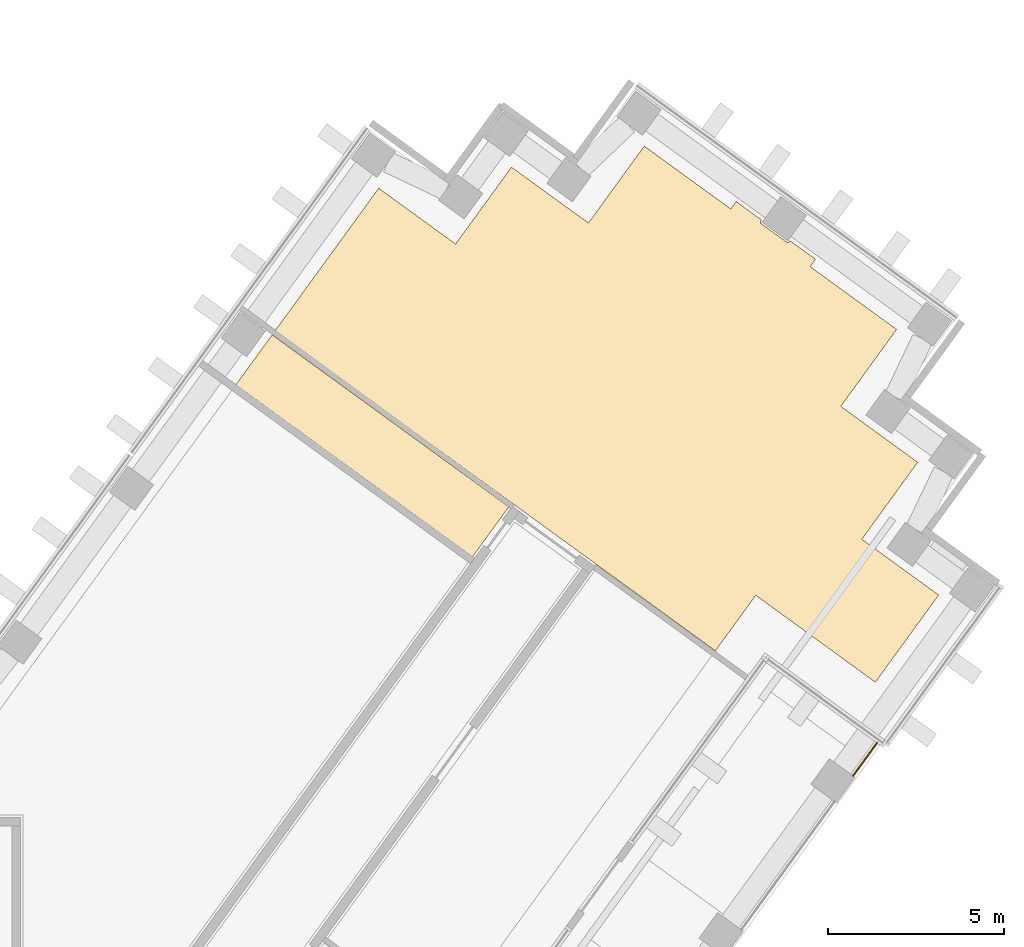
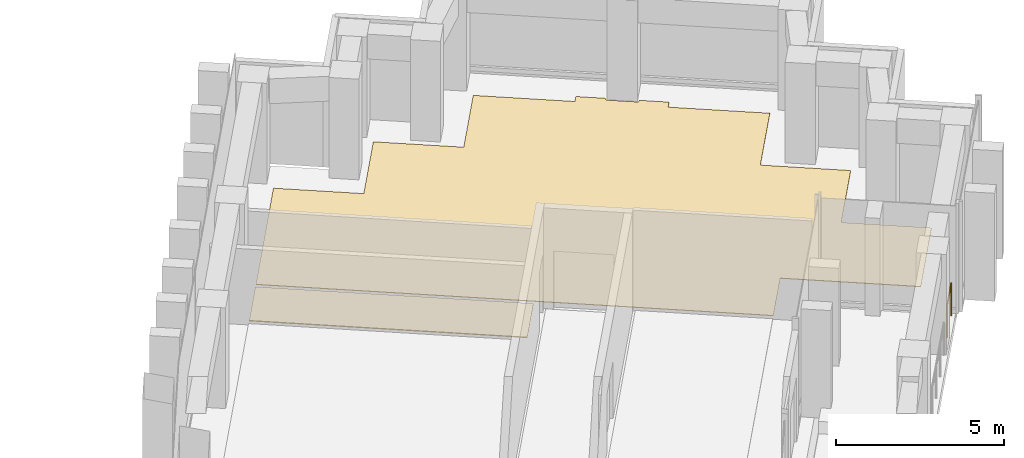
# One storey, part 15 of 15: 2 coverings, 1 railing.
"""IFC4 building model written with IfcOpenShell, lengths in metres."""

from ifc_helpers import new_model, si_unit, direction, frame, origin, origin_2d, place, context, subcontext, project, spatial, polyline, circle, outline, extrude, material, layer, layer_set, type_object, element, save


model = new_model("IFC4")

# Units and contexts
model_context = context("Model", 3, precision=1e-05, world=origin(), true_north=direction((0.0, 1.0)))
body_context = subcontext(model_context, "Body", "Model", "MODEL_VIEW")
ifc_project = project(units=[si_unit("LENGTHUNIT", "METRE"), si_unit("AREAUNIT", "SQUARE_METRE"), si_unit("VOLUMEUNIT", "CUBIC_METRE"), si_unit("PLANEANGLEUNIT", "RADIAN"), si_unit("MASSUNIT", "GRAM", prefix="KILO")], contexts=[model_context])

# Site, building, storey
site_placement = place(None, origin())
site = spatial("IfcSite", under=ifc_project, at=site_placement, CompositionType="ELEMENT")
building_placement = place(site_placement, origin())
building = spatial("IfcBuilding", under=site, at=building_placement, Name="Quipu Civic Tower", CompositionType="ELEMENT")
storey_placement = place(building_placement, frame((0.0, 0.0, 97.0)))
storey = spatial("IfcBuildingStorey", under=building, at=storey_placement, Name="L22", CompositionType="ELEMENT", Elevation=97.0)

# Coverings
ifc_material_1 = material(Name="Carpet tile on raised access floor")
ifc_layer_1 = layer(ifc_material_1, 0.02001953125)
ifc_layer_set_1 = layer_set([ifc_layer_1], Name="Carpet tile on raised access floor")
covering_type_1 = type_object("IfcCoveringType", Name="Carpet tile floor finish 20", PredefinedType="FLOORING", material=ifc_layer_set_1)
covering_1_placement = place(storey_placement, origin())
element("IfcCovering", 1, at=covering_1_placement, inside=storey, type_object=covering_type_1, Name="Carpet tile floor finish 20", PredefinedType="FLOORING", context=body_context, shape_type="SweptSolid", body=[
    extrude(outline(polyline([(25.22607421875, 23.916015625), (28.169921875, 27.968994140625), (30.35400390625, 26.383056640625), (31.94091796875, 28.56591796875), (34.126953125, 26.97998046875), (35.712890625, 29.1640625), (38.169921875, 27.37890625), (38.324951171875, 27.587890625), (39.044921875, 27.06396484375), (39.02197265625, 27.031982421875), (39.01904296875, 27.028076171875), (39.01708984375, 27.02294921875), (39.014892578125, 27.01904296875), (39.013916015625, 27.013916015625), (39.012939453125, 27.009033203125), (39.011962890625, 27.00390625), (39.011962890625, 27.0), (39.012939453125, 26.9951171875), (39.013916015625, 26.989990234375), (39.014892578125, 26.985107421875), (39.01708984375, 26.98095703125), (39.02001953125, 26.97607421875), (39.02197265625, 26.971923828125), (39.02490234375, 26.968994140625), (39.029052734375, 26.965087890625), (39.032958984375, 26.9619140625), (39.760986328125, 26.43310546875), (39.764892578125, 26.429931640625), (39.76904296875, 26.427978515625), (39.77392578125, 26.426025390625), (39.779052734375, 26.425048828125), (39.782958984375, 26.424072265625), (39.7880859375, 26.423095703125), (39.79296875, 26.424072265625), (39.798095703125, 26.424072265625), (39.802978515625, 26.425048828125), (39.80810546875, 26.427001953125), (39.81201171875, 26.427978515625), (39.81591796875, 26.430908203125), (39.820068359375, 26.43408203125), (39.823974609375, 26.43701171875), (39.827880859375, 26.43994140625), (39.8310546875, 26.444091796875), (39.85400390625, 26.47705078125), (40.574951171875, 25.952880859375), (40.424072265625, 25.740966796875), (42.881103515625, 23.95703125), (41.2939453125, 21.77294921875), (43.47802734375, 20.18505859375), (41.89208984375, 17.9990234375), (44.074951171875, 16.4140625), (42.277099609375, 13.93798828125), (38.8798828125, 16.406005859375), (37.73291015625, 14.8291015625), (25.22607421875, 23.916015625)])), origin(), (0.0, 0.0, 1.0), 0.02001953125),
])
ifc_material_2 = material(Name="Ceramic floor tile")
ifc_layer_2 = layer(ifc_material_2, 0.030029296875)
ifc_layer_set_2 = layer_set([ifc_layer_2], Name="Ceramic floor tile")
covering_type_2 = type_object("IfcCoveringType", Name="Ceramic tile floor finish 30", PredefinedType="FLOORING", material=ifc_layer_set_2)
covering_2_placement = place(storey_placement, origin())
element("IfcCovering", 2, at=covering_2_placement, inside=storey, type_object=covering_type_2, Name="Ceramic tile floor finish 30", PredefinedType="FLOORING", context=body_context, shape_type="SweptSolid", body=[
    extrude(outline(polyline([(24.112060546875, 22.382080078125), (25.14306640625, 23.802978515625), (31.865966796875, 18.9189453125), (30.8349609375, 17.4990234375), (24.112060546875, 22.382080078125)])), origin(), (0.0, 0.0, 1.0), 0.030029296875),
])

# Railing
ifc_material_3 = material(Name="Steel S275", Category="steel")
railing_type = type_object("IfcRailingType", Name="Terrace guard G1", PredefinedType="GUARDRAIL", material=ifc_material_3)
railing_placement = place(storey_placement, frame((41.642333984375, 11.278076171875, 0.0)))
element("IfcRailing", 3, at=railing_placement, inside=storey, type_object=railing_type, Name="Terrace guard L22.4", PredefinedType="GUARDRAIL", context=body_context, shape_type="SweptSolid", body=[
    extrude(circle(Radius=0.02490234375, at=origin_2d()), frame((0.0, 0.0, 1.1748046875), z_axis=(0.58771907448, 0.809065071235, 0.0), x_axis=(-0.809065071235, 0.58771907448, 0.0)), (0.0, 0.0, 1.0), 1.15478515625),
    extrude(circle(Radius=0.02490234375, at=origin_2d()), origin(), (0.0, 0.0, 1.0), 1.14990234375),
    extrude(circle(Radius=0.02490234375, at=origin_2d()), frame((0.6787109375, 0.934326171875, 0.0)), (0.0, 0.0, 1.0), 1.14990234375),
])

save(model, "model.ifc")
